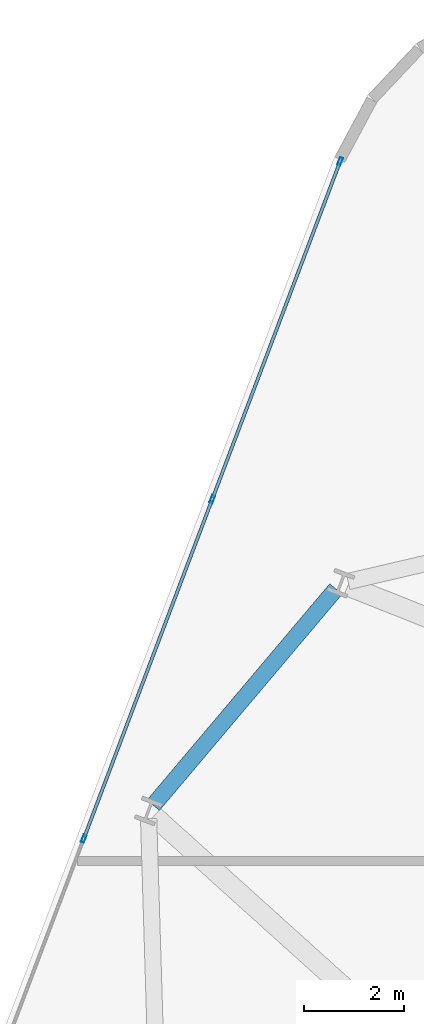
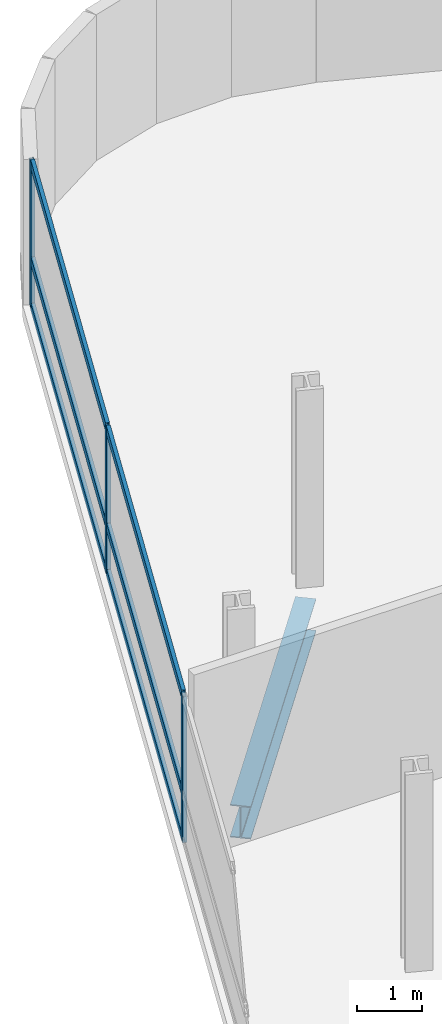
# One storey, part 8 of 25: 9 members, 1 beam, 1 element without a shape of its own.
"""IFC4 building model written with IfcOpenShell, lengths in metres."""

from ifc_helpers import new_model, si_unit, direction, frame, origin, origin_2d, place, context, subcontext, project, spatial, hollow_rectangle, i_section, extrude, material, layer, layer_set, material_profile, profile_set, type_object, element, aggregate, save


model = new_model("IFC4")

# Units and contexts
model_context = context("Model", 3, precision=1e-05, world=origin(), true_north=direction((0.0, 1.0)))
body_context = subcontext(model_context, "Body", "Model", "MODEL_VIEW")
ifc_project = project(units=[si_unit("LENGTHUNIT", "METRE"), si_unit("AREAUNIT", "SQUARE_METRE"), si_unit("VOLUMEUNIT", "CUBIC_METRE"), si_unit("PLANEANGLEUNIT", "RADIAN"), si_unit("MASSUNIT", "GRAM", prefix="KILO")], contexts=[model_context])

# Site, building, storey
site_placement = place(None, origin())
site = spatial("IfcSite", under=ifc_project, at=site_placement, CompositionType="ELEMENT")
building_placement = place(site_placement, origin())
building = spatial("IfcBuilding", under=site, at=building_placement, Name="Varnelok Gate Tower", CompositionType="ELEMENT")
storey_placement = place(building_placement, frame((0.0, 0.0, 91.0)))
storey = spatial("IfcBuildingStorey", under=building, at=storey_placement, Name="L22", CompositionType="ELEMENT", Elevation=91.0)

# Beam
ifc_material_1 = material(Name="Structural Steel ASTM A992 Grade 50", Category="steel")
ifc_material_profile_1 = material_profile(ifc_material_1, i_section(OverallWidth=0.323974609375, OverallDepth=0.611083984375, WebThickness=0.0126953125, FlangeThickness=0.01904296875, FilletRadius=0.01806640625, at=origin_2d()), Name="W24X104")
ifc_profile_set_1 = profile_set([ifc_material_profile_1], Name="Structural Steel ASTM A992 Grade 50")
beam_type = type_object("IfcBeamType", Name="BM-SPN-W24X104", PredefinedType="SPANDREL", material=ifc_profile_set_1)
beam_placement = place(storey_placement, frame((10.66650390625, 46.857666015625, -0.555419921875), z_axis=(-0.645376429405, -0.763864689829, 0.0), x_axis=(0.763864689829, -0.645376429405, 0.0)))
element("IfcBeam", 1, at=beam_placement, inside=storey, type_object=beam_type, Name="L22 Perimeter Spandrel Beam 14", PredefinedType="SPANDREL", context=body_context, shape_type="SweptSolid", body=[
    extrude(i_section(OverallWidth=0.323974609375, OverallDepth=0.611083984375, WebThickness=0.0126953125, FlangeThickness=0.01904296875, FilletRadius=0.01806640625, at=origin_2d()), origin(), (0.0, 0.0, 1.0), 5.64990234375),
])

# Curtain wall, members
ifc_material_2 = material(Name="Anodized Aluminum Alloy 6063-T6", Category="aluminium")
ifc_layer = layer(ifc_material_2, 0.179931640625)
ifc_layer_set = layer_set([ifc_layer], Name="Anodized Aluminum Alloy 6063-T6")
curtain_wall_type = type_object("IfcCurtainWallType", Name="CW3-HOTEL-VISION", PredefinedType="USERDEFINED", material=ifc_layer_set)
curtain_wall_placement = place(storey_placement, origin())
curtain_wall = element("IfcCurtainWall", 2, at=curtain_wall_placement, inside=storey, type_object=curtain_wall_type, Name="L22 West End Vision Curtain Wall", ObjectType="UNITISED CURTAIN WALL", PredefinedType="USERDEFINED")
ifc_material_profile_2 = material_profile(ifc_material_2, hollow_rectangle(XDim=0.06494140625, YDim=0.159912109375, WallThickness=0.00390625, at=origin_2d()), Name="ALU160X65X4")
ifc_profile_set_2 = profile_set([ifc_material_profile_2], Name="Anodized Aluminum Alloy 6063-T6")
member_type_1 = type_object("IfcMemberType", Name="CW-MULL-160", PredefinedType="MULLION", material=ifc_profile_set_2)
member_1_placement = place(storey_placement, frame((5.63525390625, 41.8779296875, 0.0), z_axis=(0.0, 0.0, 1.0), x_axis=(-0.935221323688, 0.354063660545, 0.0)))
member_1 = element("IfcMember", 3, at=member_1_placement, type_object=member_type_1, Name="CW3 mullion 4", PredefinedType="MULLION", context=body_context, shape_type="SweptSolid", body=[
    extrude(hollow_rectangle(XDim=0.06494140625, YDim=0.159912109375, WallThickness=0.00390625, at=origin_2d()), origin(), (0.0, 0.0, 1.0), 2.72998046875),
])
member_2_placement = place(storey_placement, frame((8.19873046875, 48.64892578125, 0.0), z_axis=(0.0, 0.0, 1.0), x_axis=(-0.935221323688, 0.354063660545, 0.0)))
member_2 = element("IfcMember", 4, at=member_2_placement, type_object=member_type_1, Name="CW3 mullion 5", PredefinedType="MULLION", context=body_context, shape_type="SweptSolid", body=[
    extrude(hollow_rectangle(XDim=0.06494140625, YDim=0.159912109375, WallThickness=0.00390625, at=origin_2d()), origin(), (0.0, 0.0, 1.0), 2.72998046875),
])
member_3_placement = place(storey_placement, frame((10.750732421875, 55.389404296875, 0.0), z_axis=(0.0, 0.0, 1.0), x_axis=(-0.935221323688, 0.354063660545, 0.0)))
member_3 = element("IfcMember", 5, at=member_3_placement, type_object=member_type_1, Name="CW3 mullion 6", PredefinedType="MULLION", context=body_context, shape_type="SweptSolid", body=[
    extrude(hollow_rectangle(XDim=0.06494140625, YDim=0.159912109375, WallThickness=0.00390625, at=origin_2d()), origin(), (0.0, 0.0, 1.0), 2.72998046875),
])
ifc_material_profile_3 = material_profile(ifc_material_2, hollow_rectangle(XDim=0.06494140625, YDim=0.159912109375, WallThickness=0.00390625, at=origin_2d()), Name="ALU160X65X4")
ifc_profile_set_3 = profile_set([ifc_material_profile_3], Name="Anodized Aluminum Alloy 6063-T6")
member_type_2 = type_object("IfcMemberType", Name="CW-TRAN-160", PredefinedType="USERDEFINED", material=ifc_profile_set_3)
member_4_placement = place(storey_placement, frame((5.64697265625, 41.908203125, 0.032470703125), z_axis=(0.354048963644, 0.935226887628, 0.0), x_axis=(-0.935226887628, 0.354048963644, 0.0)))
member_4 = element("IfcMember", 6, at=member_4_placement, type_object=member_type_2, Name="CW3 transom 4.1", ObjectType="TRANSOM", PredefinedType="USERDEFINED", context=body_context, shape_type="SweptSolid", body=[
    extrude(hollow_rectangle(XDim=0.06494140625, YDim=0.159912109375, WallThickness=0.00390625, at=origin_2d()), origin(), (0.0, 0.0, 1.0), 7.175048828125),
])
member_5_placement = place(storey_placement, frame((5.64697265625, 41.908203125, 0.89990234375), z_axis=(0.354048963644, 0.935226887628, 0.0), x_axis=(-0.935226887628, 0.354048963644, 0.0)))
member_5 = element("IfcMember", 7, at=member_5_placement, type_object=member_type_2, Name="CW3 transom 4.2", ObjectType="TRANSOM", PredefinedType="USERDEFINED", context=body_context, shape_type="SweptSolid", body=[
    extrude(hollow_rectangle(XDim=0.06494140625, YDim=0.159912109375, WallThickness=0.00390625, at=origin_2d()), origin(), (0.0, 0.0, 1.0), 7.175048828125),
])
member_6_placement = place(storey_placement, frame((5.64697265625, 41.908203125, 2.697509765625), z_axis=(0.354048963644, 0.935226887628, 0.0), x_axis=(-0.935226887628, 0.354048963644, 0.0)))
member_6 = element("IfcMember", 8, at=member_6_placement, type_object=member_type_2, Name="CW3 transom 4.3", ObjectType="TRANSOM", PredefinedType="USERDEFINED", context=body_context, shape_type="SweptSolid", body=[
    extrude(hollow_rectangle(XDim=0.06494140625, YDim=0.159912109375, WallThickness=0.00390625, at=origin_2d()), origin(), (0.0, 0.0, 1.0), 7.175048828125),
])
member_7_placement = place(storey_placement, frame((8.210205078125, 48.67919921875, 0.032470703125), z_axis=(0.354077146385, 0.935216217999, 0.0), x_axis=(-0.935216217999, 0.354077146385, 0.0)))
member_7 = element("IfcMember", 9, at=member_7_placement, type_object=member_type_2, Name="CW3 transom 5.1", ObjectType="TRANSOM", PredefinedType="USERDEFINED", context=body_context, shape_type="SweptSolid", body=[
    extrude(hollow_rectangle(XDim=0.06494140625, YDim=0.159912109375, WallThickness=0.00390625, at=origin_2d()), origin(), (0.0, 0.0, 1.0), 7.142578125),
])
member_8_placement = place(storey_placement, frame((8.210205078125, 48.67919921875, 0.89990234375), z_axis=(0.354077146385, 0.935216217999, 0.0), x_axis=(-0.935216217999, 0.354077146385, 0.0)))
member_8 = element("IfcMember", 10, at=member_8_placement, type_object=member_type_2, Name="CW3 transom 5.2", ObjectType="TRANSOM", PredefinedType="USERDEFINED", context=body_context, shape_type="SweptSolid", body=[
    extrude(hollow_rectangle(XDim=0.06494140625, YDim=0.159912109375, WallThickness=0.00390625, at=origin_2d()), origin(), (0.0, 0.0, 1.0), 7.142578125),
])
member_9_placement = place(storey_placement, frame((8.210205078125, 48.67919921875, 2.697509765625), z_axis=(0.354077146385, 0.935216217999, 0.0), x_axis=(-0.935216217999, 0.354077146385, 0.0)))
member_9 = element("IfcMember", 11, at=member_9_placement, type_object=member_type_2, Name="CW3 transom 5.3", ObjectType="TRANSOM", PredefinedType="USERDEFINED", context=body_context, shape_type="SweptSolid", body=[
    extrude(hollow_rectangle(XDim=0.06494140625, YDim=0.159912109375, WallThickness=0.00390625, at=origin_2d()), origin(), (0.0, 0.0, 1.0), 7.142578125),
])
aggregate(curtain_wall, [member_1, member_2, member_3, member_4, member_5, member_6, member_7, member_8, member_9])

save(model, "model.ifc")
